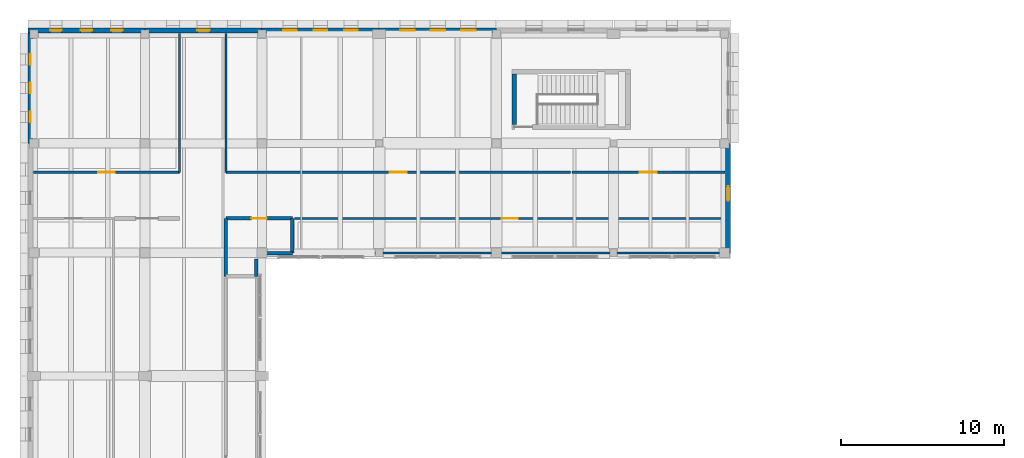
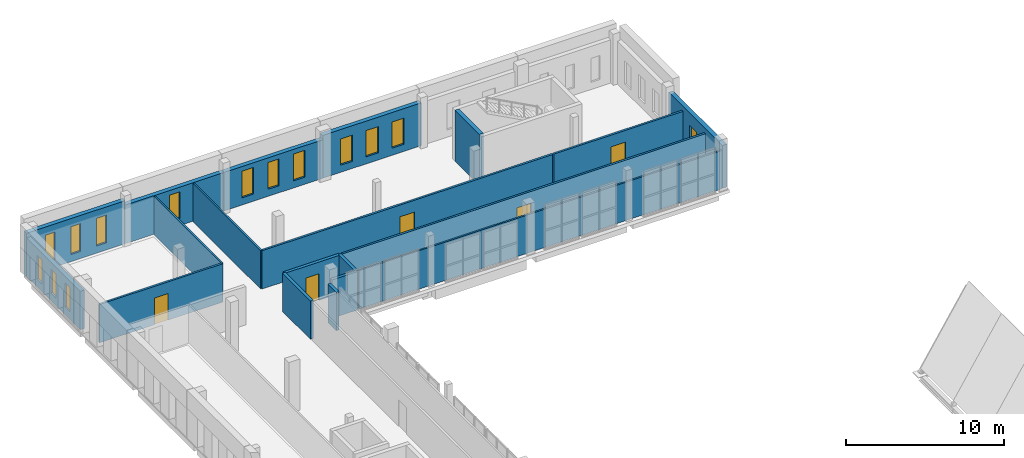
# One storey, part 41 of 56: 19 walls, 14 windows, 5 doors, 19 openings.
"""IFC4 building model written with IfcOpenShell, lengths in metres."""

import ifcopenshell
import ifcopenshell.guid

model = None  # the IFC model being written
_history = None  # IfcOwnerHistory: only IFC2X3 demands one
_inside = {}  # id of a spatial element -> (the spatial element, [elements in it])
_under = {}  # id of a project, library or spatial element -> (it, [spatial elements below it])
_declared = {}  # id of a project -> (the project, [libraries it declares])
_typed = {}  # id of a type object -> (the type object, [elements of that type])
_made_of = {}  # id of a material, layer set ... -> (it, [elements and type objects made of it])


def new_model(schema):
    """Start an empty IFC model of exactly this schema.

    Asked for "IFC4X3", IfcOpenShell would pick the latest addendum, in which some entities
    have other attributes; the version numbers below select the first issue.
    IFC2X3 requires an IfcOwnerHistory on every rooted entity: one is made here for all.
    """
    global model, _history
    if schema == "IFC4X3":
        model = ifcopenshell.file(schema_version=(4, 3, 0, 0))
    else:
        model = ifcopenshell.file(schema=schema)
    _inside.clear()
    _under.clear()
    _declared.clear()
    _typed.clear()
    _made_of.clear()
    _history = None
    if model.schema == "IFC2X3":
        org = make("IfcOrganization", Name="unknown")
        user = make(
            "IfcPersonAndOrganization",
            ThePerson=make("IfcPerson", FamilyName="unknown"),
            TheOrganization=org,
        )
        app = make(
            "IfcApplication",
            ApplicationDeveloper=org,
            Version="unknown",
            ApplicationFullName="unknown",
            ApplicationIdentifier="unknown",
        )
        _history = make(
            "IfcOwnerHistory",
            OwningUser=user,
            OwningApplication=app,
            ChangeAction="ADDED",
            CreationDate=0,
        )
    return model


def make(cls, **values):
    """One entity of the class cls with the attributes given. An attribute that is None is left unset."""
    return model.create_entity(
        cls, **{name: value for name, value in values.items() if value is not None}
    )


def rooted(cls, **values):
    """An entity with a GlobalId (a new one), such as an element, a storey or a relation."""
    return make(cls, GlobalId=ifcopenshell.guid.new(), OwnerHistory=_history, **values)


def si_unit(unit_type, name, prefix=None):
    """IfcSIUnit, for example si_unit("LENGTHUNIT", "METRE", prefix="MILLI")."""
    return make("IfcSIUnit", UnitType=unit_type, Prefix=prefix, Name=name)


def assignment(units):
    """IfcUnitAssignment: the units of a project."""
    return None if units is None else make("IfcUnitAssignment", Units=units)


def point(xyz):
    """IfcCartesianPoint."""
    return None if xyz is None else make("IfcCartesianPoint", Coordinates=xyz)


def direction(xyz):
    """IfcDirection."""
    return None if xyz is None else make("IfcDirection", DirectionRatios=xyz)


def frame(location, z_axis=None, x_axis=None):
    """IfcAxis2Placement3D, a coordinate frame: its origin and axes. An axis left out is left unset."""
    return make(
        "IfcAxis2Placement3D",
        Location=point(location),
        Axis=direction(z_axis),
        RefDirection=direction(x_axis),
    )


def frame_2d(location, x_axis=None):
    """IfcAxis2Placement2D, a coordinate frame in the plane: its origin and x axis."""
    return make(
        "IfcAxis2Placement2D", Location=point(location), RefDirection=direction(x_axis)
    )


def origin():
    """The frame at (0, 0, 0) with its axes left unset."""
    return frame((0.0, 0.0, 0.0))


def place(relative_to, where):
    """IfcLocalPlacement: puts the frame where relative to a parent placement (None: the world)."""
    return make(
        "IfcLocalPlacement", PlacementRelTo=relative_to, RelativePlacement=where
    )


def context(
    kind, dimensions, precision=None, world=None, true_north=None, identifier=None
):
    """IfcGeometricRepresentationContext, for example the 3D "Model" context."""
    return make(
        "IfcGeometricRepresentationContext",
        ContextIdentifier=identifier,
        ContextType=kind,
        CoordinateSpaceDimension=dimensions,
        Precision=precision,
        WorldCoordinateSystem=world,
        TrueNorth=true_north,
    )


def subcontext(parent, identifier, kind, view, scale=None):
    """IfcGeometricRepresentationSubContext, for example "Body" below "Model"."""
    return make(
        "IfcGeometricRepresentationSubContext",
        ContextIdentifier=identifier,
        ContextType=kind,
        ParentContext=parent,
        TargetScale=scale,
        TargetView=view,
    )


def project(units=None, contexts=None):
    """IfcProject with its units and contexts."""
    return rooted(
        "IfcProject",
        Name="project",
        RepresentationContexts=contexts,
        UnitsInContext=assignment(units),
    )


def spatial(cls, under=None, at=None, **own):
    """A site, building, storey or space (cls), placed at a placement, below another one or the project."""
    s = rooted(cls, ObjectPlacement=at, **own)
    if under is not None:
        _under.setdefault(under.id(), (under, []))[1].append(s)
    return s


def profile(cls, at=None, kind="AREA", **sizes):
    """A parametric profile (cls). Its sizes go by their IFC names, for example OverallWidth=200.0."""
    return make(cls, ProfileType=kind, Position=at, **sizes)


def rectangle(**sizes):
    """IfcRectangleProfileDef."""
    return profile("IfcRectangleProfileDef", **sizes)


def extrude(swept, where, along, depth):
    """IfcExtrudedAreaSolid: the profile swept, set in the frame where, extruded along a direction by depth."""
    return make(
        "IfcExtrudedAreaSolid",
        SweptArea=swept,
        Position=where,
        ExtrudedDirection=direction(along),
        Depth=depth,
    )


def shape(context_of_items, identifier, shape_type, items):
    """IfcShapeRepresentation: the items that make up one representation, for example the "Body"."""
    return make(
        "IfcShapeRepresentation",
        ContextOfItems=context_of_items,
        RepresentationIdentifier=identifier,
        RepresentationType=shape_type,
        Items=items,
    )


def material(Name=None, Category=None):
    """IfcMaterial."""
    return make("IfcMaterial", Name=Name, Category=Category)


def layer(
    of_material, thickness, ventilated=None, Name=None, Category=None, Priority=None
):
    """IfcMaterialLayer: one layer of a wall or slab, of a material (None: an air gap)."""
    return make(
        "IfcMaterialLayer",
        Material=of_material,
        LayerThickness=thickness,
        IsVentilated=ventilated,
        Name=Name,
        Category=Category,
        Priority=Priority,
    )


def layer_set(layers, Name=None):
    """IfcMaterialLayerSet."""
    return make("IfcMaterialLayerSet", MaterialLayers=layers, LayerSetName=Name)


def made_of(thing, what):
    """Note that an element or type object is made of a material, layer set ...; save() writes the relation."""
    if what is not None:
        _made_of.setdefault(what.id(), (what, []))[1].append(thing)
    return thing


def type_object(cls, material=None, **own):
    """A type object (cls), such as IfcWallType, which elements share."""
    return made_of(rooted(cls, **own), material)


def element(
    cls,
    number,
    at=None,
    inside=None,
    cuts=None,
    type_object=None,
    material=None,
    context=None,
    identifier="Body",
    shape_type=None,
    held_by="IfcProductDefinitionShape",
    body=None,
    shapes=None,
    **own,
):
    """One element of the class cls, such as IfcWall. Its Tag is "e" and its number.

    at: its placement. inside: the storey or other place that contains it. cuts: it is an
    opening in that element (IfcRelVoidsElement). A single representation is given by context,
    identifier, shape_type and body (its items); several are given by shapes. held_by: the class
    of the entity that holds the representations. save() writes the other relations.
    """
    e = rooted(cls, Tag="e%d" % number, ObjectPlacement=at, **own)
    if body is not None:
        shapes = [shape(context, identifier, shape_type, body)]
    if shapes is not None:
        e.Representation = make(held_by, Representations=shapes)
    if inside is not None:
        _inside.setdefault(inside.id(), (inside, []))[1].append(e)
    if cuts is not None:
        rooted(
            "IfcRelVoidsElement", RelatingBuildingElement=cuts, RelatedOpeningElement=e
        )
    if type_object is not None:
        _typed.setdefault(type_object.id(), (type_object, []))[1].append(e)
    return made_of(e, material)


def fill(opening, filler):
    """IfcRelFillsElement: the door or window that sits in an opening."""
    return rooted(
        "IfcRelFillsElement",
        RelatingOpeningElement=opening,
        RelatedBuildingElement=filler,
    )


def aggregate(whole, parts):
    """IfcRelAggregates: a whole, such as a stair, and the parts it consists of."""
    return rooted("IfcRelAggregates", RelatingObject=whole, RelatedObjects=parts)


def save(model, path):
    """Write the relations noted so far, then the file.

    IfcRelAggregates (storeys below a building ...), IfcRelContainedInSpatialStructure (elements
    in a storey), IfcRelDefinesByType, IfcRelAssociatesMaterial and IfcRelDeclares: one each for
    every whole, place, type object, material and project.
    """
    for whole, parts in _under.values():
        aggregate(whole, parts)
    for where, things in _inside.values():
        rooted(
            "IfcRelContainedInSpatialStructure",
            RelatedElements=things,
            RelatingStructure=where,
        )
    for kind, things in _typed.values():
        rooted("IfcRelDefinesByType", RelatedObjects=things, RelatingType=kind)
    for what, things in _made_of.values():
        rooted("IfcRelAssociatesMaterial", RelatedObjects=things, RelatingMaterial=what)
    for by, libraries in _declared.values():
        rooted("IfcRelDeclares", RelatingContext=by, RelatedDefinitions=libraries)
    model.write(path)


model = new_model("IFC4")

# Units and contexts
model_context = context("Model", 3, precision=1e-05, world=origin(), true_north=direction((0.0, 1.0)))
body_context = subcontext(model_context, "Body", "Model", "MODEL_VIEW")
ifc_project = project(units=[si_unit("LENGTHUNIT", "METRE"), si_unit("AREAUNIT", "SQUARE_METRE"), si_unit("VOLUMEUNIT", "CUBIC_METRE"), si_unit("PLANEANGLEUNIT", "RADIAN"), si_unit("MASSUNIT", "GRAM", prefix="KILO")], contexts=[model_context])

# Site, building, storey
site_placement = place(None, origin())
site = spatial("IfcSite", under=ifc_project, at=site_placement, CompositionType="ELEMENT")
building_placement = place(site_placement, origin())
building = spatial("IfcBuilding", under=site, at=building_placement, Name="Vardoun Plaza Health Centre", CompositionType="ELEMENT")
storey_placement = place(building_placement, frame((0.0, 0.0, 8.699951171875)))
storey = spatial("IfcBuildingStorey", under=building, at=storey_placement, Name="L02", CompositionType="ELEMENT", Elevation=8.699951171875)

# Wall
ifc_material_1 = material(Name="Concrete C40/50", Category="concrete")
ifc_layer_1 = layer(ifc_material_1, 0.300048828125)
ifc_layer_set_1 = layer_set([ifc_layer_1], Name="Concrete C40/50")
wall_type_1 = type_object("IfcWallType", Name="SW-01", PredefinedType="SHEAR", material=ifc_layer_set_1)
wall_1_placement = place(storey_placement, frame((34.39990234375, 109.35009765625, 0.0), z_axis=(0.0, 0.0, 1.0), x_axis=(0.0, 1.0, 0.0)))
element("IfcWall", 1, at=wall_1_placement, inside=storey, type_object=wall_type_1, Name="Core C4 L02 Shear Wall W", PredefinedType="SHEAR", context=body_context, shape_type="SweptSolid", body=[
    extrude(rectangle(XDim=3.099853515625, YDim=0.300048828125, at=frame_2d((1.5498046875, 0.0))), origin(), (0.0, 0.0, 1.0), 3.93505859375),
])

# Wall, openings, windows
ifc_material_2 = material(Name="Pale Limestone Concrete C35/45", Category="masonry")
ifc_layer_2 = layer(ifc_material_2, 0.31494140625)
ifc_layer_set_2 = layer_set([ifc_layer_2], Name="Pale Limestone Concrete C35/45")
wall_type_2 = type_object("IfcWallType", Name="EW-03", PredefinedType="SOLIDWALL", material=ifc_layer_set_2)
wall_2_placement = place(storey_placement, frame((4.5, 115.142578125, 0.0), z_axis=(0.0, 0.0, 1.0), x_axis=(1.0, 0.0, 0.0)))
wall_2 = element("IfcWall", 2, at=wall_2_placement, inside=storey, type_object=wall_type_2, Name="V3 L02 Exterior Wall EW-V3-274", PredefinedType="SOLIDWALL", context=body_context, shape_type="SweptSolid", body=[
    extrude(rectangle(XDim=7.199951171875, YDim=0.31494140625, at=frame_2d((3.60009765625, 0.0))), origin(), (0.0, 0.0, 1.0), 3.320068359375),
])
opening_1_placement = place(wall_2_placement, frame((1.373046875, 0.0, 0.550048828125)))
opening_1 = element("IfcOpeningElement", 3, at=opening_1_placement, cuts=wall_2, Name="Opening W-32-012", PredefinedType="OPENING", context=body_context, shape_type="SweptSolid", body=[
    extrude(rectangle(XDim=0.7099609375, YDim=2.139892578125, at=frame_2d((0.35498046875, 1.06982421875))), frame((0.0, 0.157470703125, 0.0), z_axis=(0.0, -1.0, 0.0), x_axis=(1.0, 0.0, 0.0)), (0.0, 0.0, 1.0), 0.31494140625),
])
opening_2_placement = place(wall_2_placement, frame((3.2451171875, 0.0, 0.550048828125)))
opening_2 = element("IfcOpeningElement", 4, at=opening_2_placement, cuts=wall_2, Name="Opening W-32-013", PredefinedType="OPENING", context=body_context, shape_type="SweptSolid", body=[
    extrude(rectangle(XDim=0.7099609375, YDim=2.139892578125, at=frame_2d((0.35498046875, 1.06982421875))), frame((0.0, 0.157470703125, 0.0), z_axis=(0.0, -1.0, 0.0), x_axis=(1.0, 0.0, 0.0)), (0.0, 0.0, 1.0), 0.31494140625),
])
opening_3_placement = place(wall_2_placement, frame((5.116943359375, 0.0, 0.550048828125)))
opening_3 = element("IfcOpeningElement", 5, at=opening_3_placement, cuts=wall_2, Name="Opening W-32-014", PredefinedType="OPENING", context=body_context, shape_type="SweptSolid", body=[
    extrude(rectangle(XDim=0.7099609375, YDim=2.139892578125, at=frame_2d((0.35498046875, 1.06982421875))), frame((0.0, 0.157470703125, 0.0), z_axis=(0.0, -1.0, 0.0), x_axis=(1.0, 0.0, 0.0)), (0.0, 0.0, 1.0), 0.31494140625),
])
ifc_material_3 = material(Name="Aluminium Alloy EN AW-6063-T6 and Low-E Glass", Category="aluminium")
window_type_1 = type_object("IfcWindowType", Name="W-32", PartitioningType="SINGLE_PANEL", PredefinedType="WINDOW", material=ifc_material_3)
window_1_placement = place(opening_1_placement, origin())
window_1 = element("IfcWindow", 6, at=window_1_placement, inside=storey, type_object=window_type_1, Name="V3 L02 Deep-Punched Slot Window W-32-426", OverallHeight=2.139892578125, OverallWidth=0.7099609375, PartitioningType="SINGLE_PANEL", PredefinedType="WINDOW", context=body_context, shape_type="SweptSolid", body=[
    extrude(rectangle(XDim=0.7099609375, YDim=2.139892578125, at=frame_2d((0.35498046875, 1.06982421875))), frame((0.0, 0.030029296875, 0.0), z_axis=(0.0, -1.0, 0.0), x_axis=(1.0, 0.0, 0.0)), (0.0, 0.0, 1.0), 0.06005859375),
])
fill(opening_1, window_1)
window_2_placement = place(opening_2_placement, origin())
window_2 = element("IfcWindow", 7, at=window_2_placement, inside=storey, type_object=window_type_1, Name="V3 L02 Deep-Punched Slot Window W-32-427", OverallHeight=2.139892578125, OverallWidth=0.7099609375, PartitioningType="SINGLE_PANEL", PredefinedType="WINDOW", context=body_context, shape_type="SweptSolid", body=[
    extrude(rectangle(XDim=0.7099609375, YDim=2.139892578125, at=frame_2d((0.35498046875, 1.06982421875))), frame((0.0, 0.030029296875, 0.0), z_axis=(0.0, -1.0, 0.0), x_axis=(1.0, 0.0, 0.0)), (0.0, 0.0, 1.0), 0.06005859375),
])
fill(opening_2, window_2)
window_3_placement = place(opening_3_placement, origin())
window_3 = element("IfcWindow", 8, at=window_3_placement, inside=storey, type_object=window_type_1, Name="V3 L02 Deep-Punched Slot Window W-32-428", OverallHeight=2.139892578125, OverallWidth=0.7099609375, PartitioningType="SINGLE_PANEL", PredefinedType="WINDOW", context=body_context, shape_type="SweptSolid", body=[
    extrude(rectangle(XDim=0.7099609375, YDim=2.139892578125, at=frame_2d((0.35498046875, 1.06982421875))), frame((0.0, 0.030029296875, 0.0), z_axis=(0.0, -1.0, 0.0), x_axis=(1.0, 0.0, 0.0)), (0.0, 0.0, 1.0), 0.06005859375),
])
fill(opening_3, window_3)

# Wall, opening, window
wall_3_placement = place(storey_placement, frame((11.699951171875, 115.142578125, 0.0), z_axis=(0.0, 0.0, 1.0), x_axis=(1.0, 0.0, 0.0)))
wall_3 = element("IfcWall", 9, at=wall_3_placement, inside=storey, type_object=wall_type_2, Name="V3 L02 Exterior Wall EW-V3-275", PredefinedType="SOLIDWALL", context=body_context, shape_type="SweptSolid", body=[
    extrude(rectangle(XDim=7.199951171875, YDim=0.31494140625, at=frame_2d((3.60009765625, 0.0))), origin(), (0.0, 0.0, 1.0), 2.969970703125),
])
opening_4_placement = place(wall_3_placement, frame((3.215087890625, 0.0, 0.550048828125)))
opening_4 = element("IfcOpeningElement", 10, at=opening_4_placement, cuts=wall_3, Name="Opening W-33-007", PredefinedType="OPENING", context=body_context, shape_type="SweptSolid", body=[
    extrude(rectangle(XDim=0.77001953125, YDim=2.06005859375, at=frame_2d((0.385009765625, 1.030029296875))), frame((0.0, 0.157470703125, 0.0), z_axis=(0.0, -1.0, 0.0), x_axis=(1.0, 0.0, 0.0)), (0.0, 0.0, 1.0), 0.31494140625),
])
ifc_material_4 = material(Name="Aluminium Alloy EN AW-6063-T6 and Low-E Glass", Category="aluminium")
window_type_2 = type_object("IfcWindowType", Name="W-33", PartitioningType="SINGLE_PANEL", PredefinedType="WINDOW", material=ifc_material_4)
window_4_placement = place(opening_4_placement, origin())
window_4 = element("IfcWindow", 11, at=window_4_placement, inside=storey, type_object=window_type_2, Name="V3 L02 Deep-Punched Slot Window W-33-430", OverallHeight=2.06005859375, OverallWidth=0.77001953125, PartitioningType="SINGLE_PANEL", PredefinedType="WINDOW", context=body_context, shape_type="SweptSolid", body=[
    extrude(rectangle(XDim=0.77001953125, YDim=2.06005859375, at=frame_2d((0.385009765625, 1.030029296875))), frame((0.0, 0.030029296875, 0.0), z_axis=(0.0, -1.0, 0.0), x_axis=(1.0, 0.0, 0.0)), (0.0, 0.0, 1.0), 0.06005859375),
])
fill(opening_4, window_4)

# Wall, openings, windows
wall_4_placement = place(storey_placement, frame((18.89990234375, 115.142578125, 0.0), z_axis=(0.0, 0.0, 1.0), x_axis=(1.0, 0.0, 0.0)))
wall_4 = element("IfcWall", 12, at=wall_4_placement, inside=storey, type_object=wall_type_2, Name="V3 L02 Exterior Wall EW-V3-276", PredefinedType="SOLIDWALL", context=body_context, shape_type="SweptSolid", body=[
    extrude(rectangle(XDim=7.2001953125, YDim=0.31494140625, at=frame_2d((3.60009765625, 0.0))), origin(), (0.0, 0.0, 1.0), 2.969970703125),
])
opening_5_placement = place(wall_4_placement, frame((1.31298828125, 0.0, 0.550048828125)))
opening_5 = element("IfcOpeningElement", 13, at=opening_5_placement, cuts=wall_4, Name="Opening W-34-005", PredefinedType="OPENING", context=body_context, shape_type="SweptSolid", body=[
    extrude(rectangle(XDim=0.830078125, YDim=2.06005859375, at=frame_2d((0.4150390625, 1.030029296875))), frame((0.0, 0.157470703125, 0.0), z_axis=(0.0, -1.0, 0.0), x_axis=(1.0, 0.0, 0.0)), (0.0, 0.0, 1.0), 0.31494140625),
])
opening_6_placement = place(wall_4_placement, frame((3.18505859375, 0.0, 0.550048828125)))
opening_6 = element("IfcOpeningElement", 14, at=opening_6_placement, cuts=wall_4, Name="Opening W-34-006", PredefinedType="OPENING", context=body_context, shape_type="SweptSolid", body=[
    extrude(rectangle(XDim=0.830078125, YDim=2.06005859375, at=frame_2d((0.4150390625, 1.030029296875))), frame((0.0, 0.157470703125, 0.0), z_axis=(0.0, -1.0, 0.0), x_axis=(1.0, 0.0, 0.0)), (0.0, 0.0, 1.0), 0.31494140625),
])
opening_7_placement = place(wall_4_placement, frame((5.056884765625, 0.0, 0.550048828125)))
opening_7 = element("IfcOpeningElement", 15, at=opening_7_placement, cuts=wall_4, Name="Opening W-34-007", PredefinedType="OPENING", context=body_context, shape_type="SweptSolid", body=[
    extrude(rectangle(XDim=0.830078125, YDim=2.06005859375, at=frame_2d((0.4150390625, 1.030029296875))), frame((0.0, 0.157470703125, 0.0), z_axis=(0.0, -1.0, 0.0), x_axis=(1.0, 0.0, 0.0)), (0.0, 0.0, 1.0), 0.31494140625),
])
ifc_material_5 = material(Name="Aluminium Alloy EN AW-6063-T6 and Low-E Glass", Category="aluminium")
window_type_3 = type_object("IfcWindowType", Name="W-34", PartitioningType="SINGLE_PANEL", PredefinedType="WINDOW", material=ifc_material_5)
window_5_placement = place(opening_5_placement, origin())
window_5 = element("IfcWindow", 16, at=window_5_placement, inside=storey, type_object=window_type_3, Name="V3 L02 Deep-Punched Slot Window W-34-432", OverallHeight=2.06005859375, OverallWidth=0.830078125, PartitioningType="SINGLE_PANEL", PredefinedType="WINDOW", context=body_context, shape_type="SweptSolid", body=[
    extrude(rectangle(XDim=0.830078125, YDim=2.06005859375, at=frame_2d((0.4150390625, 1.030029296875))), frame((0.0, 0.030029296875, 0.0), z_axis=(0.0, -1.0, 0.0), x_axis=(1.0, 0.0, 0.0)), (0.0, 0.0, 1.0), 0.06005859375),
])
fill(opening_5, window_5)
window_6_placement = place(opening_6_placement, origin())
window_6 = element("IfcWindow", 17, at=window_6_placement, inside=storey, type_object=window_type_3, Name="V3 L02 Deep-Punched Slot Window W-34-433", OverallHeight=2.06005859375, OverallWidth=0.830078125, PartitioningType="SINGLE_PANEL", PredefinedType="WINDOW", context=body_context, shape_type="SweptSolid", body=[
    extrude(rectangle(XDim=0.830078125, YDim=2.06005859375, at=frame_2d((0.4150390625, 1.030029296875))), frame((0.0, 0.030029296875, 0.0), z_axis=(0.0, -1.0, 0.0), x_axis=(1.0, 0.0, 0.0)), (0.0, 0.0, 1.0), 0.06005859375),
])
fill(opening_6, window_6)
window_7_placement = place(opening_7_placement, origin())
window_7 = element("IfcWindow", 18, at=window_7_placement, inside=storey, type_object=window_type_3, Name="V3 L02 Deep-Punched Slot Window W-34-434", OverallHeight=2.06005859375, OverallWidth=0.830078125, PartitioningType="SINGLE_PANEL", PredefinedType="WINDOW", context=body_context, shape_type="SweptSolid", body=[
    extrude(rectangle(XDim=0.830078125, YDim=2.06005859375, at=frame_2d((0.4150390625, 1.030029296875))), frame((0.0, 0.030029296875, 0.0), z_axis=(0.0, -1.0, 0.0), x_axis=(1.0, 0.0, 0.0)), (0.0, 0.0, 1.0), 0.06005859375),
])
fill(opening_7, window_7)

wall_5_placement = place(storey_placement, frame((26.10009765625, 115.142578125, 0.0), z_axis=(0.0, 0.0, 1.0), x_axis=(1.0, 0.0, 0.0)))
wall_5 = element("IfcWall", 19, at=wall_5_placement, inside=storey, type_object=wall_type_2, Name="V3 L02 Exterior Wall EW-V3-277", PredefinedType="SOLIDWALL", context=body_context, shape_type="SweptSolid", body=[
    extrude(rectangle(XDim=7.199951171875, YDim=0.31494140625, at=frame_2d((3.60009765625, 0.0))), origin(), (0.0, 0.0, 1.0), 3.300048828125),
])
opening_8_placement = place(wall_5_placement, frame((1.282958984375, 0.0, 0.550048828125)))
opening_8 = element("IfcOpeningElement", 20, at=opening_8_placement, cuts=wall_5, Name="Opening W-35-012", PredefinedType="OPENING", context=body_context, shape_type="SweptSolid", body=[
    extrude(rectangle(XDim=0.889892578125, YDim=2.02001953125, at=frame_2d((0.44482421875, 1.010009765625))), frame((0.0, 0.157470703125, 0.0), z_axis=(0.0, -1.0, 0.0), x_axis=(1.0, 0.0, 0.0)), (0.0, 0.0, 1.0), 0.31494140625),
])
opening_9_placement = place(wall_5_placement, frame((3.155029296875, 0.0, 0.550048828125)))
opening_9 = element("IfcOpeningElement", 21, at=opening_9_placement, cuts=wall_5, Name="Opening W-35-013", PredefinedType="OPENING", context=body_context, shape_type="SweptSolid", body=[
    extrude(rectangle(XDim=0.889892578125, YDim=2.02001953125, at=frame_2d((0.44482421875, 1.010009765625))), frame((0.0, 0.157470703125, 0.0), z_axis=(0.0, -1.0, 0.0), x_axis=(1.0, 0.0, 0.0)), (0.0, 0.0, 1.0), 0.31494140625),
])
opening_10_placement = place(wall_5_placement, frame((5.027099609375, 0.0, 0.550048828125)))
opening_10 = element("IfcOpeningElement", 22, at=opening_10_placement, cuts=wall_5, Name="Opening W-35-014", PredefinedType="OPENING", context=body_context, shape_type="SweptSolid", body=[
    extrude(rectangle(XDim=0.889892578125, YDim=2.02001953125, at=frame_2d((0.44482421875, 1.010009765625))), frame((0.0, 0.157470703125, 0.0), z_axis=(0.0, -1.0, 0.0), x_axis=(1.0, 0.0, 0.0)), (0.0, 0.0, 1.0), 0.31494140625),
])
ifc_material_6 = material(Name="Aluminium Alloy EN AW-6063-T6 and Low-E Glass", Category="aluminium")
window_type_4 = type_object("IfcWindowType", Name="W-35", PartitioningType="DOUBLE_PANEL_VERTICAL", PredefinedType="WINDOW", material=ifc_material_6)
window_8_placement = place(opening_8_placement, origin())
window_8 = element("IfcWindow", 23, at=window_8_placement, inside=storey, type_object=window_type_4, Name="V3 L02 Deep-Punched Slot Window W-35-435", OverallHeight=2.02001953125, OverallWidth=0.889892578125, PartitioningType="DOUBLE_PANEL_VERTICAL", PredefinedType="WINDOW", context=body_context, shape_type="SweptSolid", body=[
    extrude(rectangle(XDim=0.889892578125, YDim=2.02001953125, at=frame_2d((0.44482421875, 1.010009765625))), frame((0.0, 0.030029296875, 0.0), z_axis=(0.0, -1.0, 0.0), x_axis=(1.0, 0.0, 0.0)), (0.0, 0.0, 1.0), 0.06005859375),
])
fill(opening_8, window_8)
window_9_placement = place(opening_9_placement, origin())
window_9 = element("IfcWindow", 24, at=window_9_placement, inside=storey, type_object=window_type_4, Name="V3 L02 Deep-Punched Slot Window W-35-436", OverallHeight=2.02001953125, OverallWidth=0.889892578125, PartitioningType="DOUBLE_PANEL_VERTICAL", PredefinedType="WINDOW", context=body_context, shape_type="SweptSolid", body=[
    extrude(rectangle(XDim=0.889892578125, YDim=2.02001953125, at=frame_2d((0.44482421875, 1.010009765625))), frame((0.0, 0.030029296875, 0.0), z_axis=(0.0, -1.0, 0.0), x_axis=(1.0, 0.0, 0.0)), (0.0, 0.0, 1.0), 0.06005859375),
])
fill(opening_9, window_9)
window_10_placement = place(opening_10_placement, origin())
window_10 = element("IfcWindow", 25, at=window_10_placement, inside=storey, type_object=window_type_4, Name="V3 L02 Deep-Punched Slot Window W-35-437", OverallHeight=2.02001953125, OverallWidth=0.889892578125, PartitioningType="DOUBLE_PANEL_VERTICAL", PredefinedType="WINDOW", context=body_context, shape_type="SweptSolid", body=[
    extrude(rectangle(XDim=0.889892578125, YDim=2.02001953125, at=frame_2d((0.44482421875, 1.010009765625))), frame((0.0, 0.030029296875, 0.0), z_axis=(0.0, -1.0, 0.0), x_axis=(1.0, 0.0, 0.0)), (0.0, 0.0, 1.0), 0.06005859375),
])
fill(opening_10, window_10)

# Wall, opening, window
wall_6_placement = place(storey_placement, frame((47.54248046875, 108.199951171875, 0.0), z_axis=(0.0, 0.0, 1.0), x_axis=(0.0, -1.0, 0.0)))
wall_6 = element("IfcWall", 26, at=wall_6_placement, inside=storey, type_object=wall_type_2, Name="V3 L02 Exterior Wall EW-V3-281", PredefinedType="SOLIDWALL", context=body_context, shape_type="SweptSolid", body=[
    extrude(rectangle(XDim=6.784912109375, YDim=0.31494140625, at=frame_2d((3.392578125, 0.0))), origin(), (0.0, 0.0, 1.0), 3.300048828125),
])
opening_11_placement = place(wall_6_placement, frame((2.652587890625, 0.0, 0.550048828125)))
opening_11 = element("IfcOpeningElement", 27, at=opening_11_placement, cuts=wall_6, Name="Opening W-28-016", PredefinedType="OPENING", context=body_context, shape_type="SweptSolid", body=[
    extrude(rectangle(XDim=0.8798828125, YDim=1.800048828125, at=frame_2d((0.43994140625, 0.89990234375))), frame((0.0, 0.157470703125, 0.0), z_axis=(0.0, -1.0, 0.0), x_axis=(1.0, 0.0, 0.0)), (0.0, 0.0, 1.0), 0.31494140625),
])
ifc_material_7 = material(Name="Aluminium Alloy EN AW-6063-T6 and Low-E Glass", Category="aluminium")
window_type_5 = type_object("IfcWindowType", Name="W-28", PartitioningType="SINGLE_PANEL", PredefinedType="WINDOW", material=ifc_material_7)
window_11_placement = place(opening_11_placement, origin())
window_11 = element("IfcWindow", 28, at=window_11_placement, inside=storey, type_object=window_type_5, Name="V3 L02 Deep-Punched Slot Window W-28-447", OverallHeight=1.800048828125, OverallWidth=0.8798828125, PartitioningType="SINGLE_PANEL", PredefinedType="WINDOW", context=body_context, shape_type="SweptSolid", body=[
    extrude(rectangle(XDim=0.8798828125, YDim=1.800048828125, at=frame_2d((0.43994140625, 0.89990234375))), frame((0.0, 0.030029296875, 0.0), z_axis=(0.0, -1.0, 0.0), x_axis=(1.0, 0.0, 0.0)), (0.0, 0.0, 1.0), 0.06005859375),
])
fill(opening_11, window_11)

# Wall, openings, windows
wall_7_placement = place(storey_placement, frame((4.657470703125, 108.199951171875, 0.0), z_axis=(0.0, 0.0, 1.0), x_axis=(0.0, 1.0, 0.0)))
wall_7 = element("IfcWall", 29, at=wall_7_placement, inside=storey, type_object=wall_type_2, Name="V3 L02 Exterior Wall EW-V3-288", PredefinedType="SOLIDWALL", context=body_context, shape_type="SweptSolid", body=[
    extrude(rectangle(XDim=6.78515625, YDim=0.31494140625, at=frame_2d((3.392578125, 0.0))), origin(), (0.0, 0.0, 1.0), 2.969970703125),
])
opening_12_placement = place(wall_7_placement, frame((1.308349609375, 0.0, 0.60009765625)))
opening_12 = element("IfcOpeningElement", 30, at=opening_12_placement, cuts=wall_7, Name="Opening W-25-019", PredefinedType="OPENING", context=body_context, shape_type="SweptSolid", body=[
    extrude(rectangle(XDim=0.639892578125, YDim=1.85009765625, at=frame_2d((0.31982421875, 0.925048828125))), frame((0.0, 0.157470703125, 0.0), z_axis=(0.0, -1.0, 0.0), x_axis=(1.0, 0.0, 0.0)), (0.0, 0.0, 1.0), 0.31494140625),
])
opening_13_placement = place(wall_7_placement, frame((3.072509765625, 0.0, 0.60009765625)))
opening_13 = element("IfcOpeningElement", 31, at=opening_13_placement, cuts=wall_7, Name="Opening W-25-020", PredefinedType="OPENING", context=body_context, shape_type="SweptSolid", body=[
    extrude(rectangle(XDim=0.639892578125, YDim=1.85009765625, at=frame_2d((0.31982421875, 0.925048828125))), frame((0.0, 0.157470703125, 0.0), z_axis=(0.0, -1.0, 0.0), x_axis=(1.0, 0.0, 0.0)), (0.0, 0.0, 1.0), 0.31494140625),
])
opening_14_placement = place(wall_7_placement, frame((4.836669921875, 0.0, 0.60009765625)))
opening_14 = element("IfcOpeningElement", 32, at=opening_14_placement, cuts=wall_7, Name="Opening W-25-021", PredefinedType="OPENING", context=body_context, shape_type="SweptSolid", body=[
    extrude(rectangle(XDim=0.639892578125, YDim=1.85009765625, at=frame_2d((0.31982421875, 0.925048828125))), frame((0.0, 0.157470703125, 0.0), z_axis=(0.0, -1.0, 0.0), x_axis=(1.0, 0.0, 0.0)), (0.0, 0.0, 1.0), 0.31494140625),
])
ifc_material_8 = material(Name="Aluminium Alloy EN AW-6063-T6 and Low-E Glass", Category="aluminium")
window_type_6 = type_object("IfcWindowType", Name="W-25", PartitioningType="SINGLE_PANEL", PredefinedType="WINDOW", material=ifc_material_8)
window_12_placement = place(opening_12_placement, origin())
window_12 = element("IfcWindow", 33, at=window_12_placement, inside=storey, type_object=window_type_6, Name="V3 L02 Deep-Punched Slot Window W-25-461", OverallHeight=1.85009765625, OverallWidth=0.639892578125, PartitioningType="SINGLE_PANEL", PredefinedType="WINDOW", context=body_context, shape_type="SweptSolid", body=[
    extrude(rectangle(XDim=0.639892578125, YDim=1.85009765625, at=frame_2d((0.31982421875, 0.925048828125))), frame((0.0, 0.030029296875, 0.0), z_axis=(0.0, -1.0, 0.0), x_axis=(1.0, 0.0, 0.0)), (0.0, 0.0, 1.0), 0.06005859375),
])
fill(opening_12, window_12)
window_13_placement = place(opening_13_placement, origin())
window_13 = element("IfcWindow", 34, at=window_13_placement, inside=storey, type_object=window_type_6, Name="V3 L02 Deep-Punched Slot Window W-25-462", OverallHeight=1.85009765625, OverallWidth=0.639892578125, PartitioningType="SINGLE_PANEL", PredefinedType="WINDOW", context=body_context, shape_type="SweptSolid", body=[
    extrude(rectangle(XDim=0.639892578125, YDim=1.85009765625, at=frame_2d((0.31982421875, 0.925048828125))), frame((0.0, 0.030029296875, 0.0), z_axis=(0.0, -1.0, 0.0), x_axis=(1.0, 0.0, 0.0)), (0.0, 0.0, 1.0), 0.06005859375),
])
fill(opening_13, window_13)
window_14_placement = place(opening_14_placement, origin())
window_14 = element("IfcWindow", 35, at=window_14_placement, inside=storey, type_object=window_type_6, Name="V3 L02 Deep-Punched Slot Window W-25-463", OverallHeight=1.85009765625, OverallWidth=0.639892578125, PartitioningType="SINGLE_PANEL", PredefinedType="WINDOW", context=body_context, shape_type="SweptSolid", body=[
    extrude(rectangle(XDim=0.639892578125, YDim=1.85009765625, at=frame_2d((0.31982421875, 0.925048828125))), frame((0.0, 0.030029296875, 0.0), z_axis=(0.0, -1.0, 0.0), x_axis=(1.0, 0.0, 0.0)), (0.0, 0.0, 1.0), 0.06005859375),
])
fill(opening_14, window_14)

# Wall, opening, door
ifc_material_9 = material(Name="Acoustic Gypsum Twin-Stud", Category="steel")
ifc_layer_3 = layer(ifc_material_9, 0.14990234375)
ifc_layer_set_3 = layer_set([ifc_layer_3], Name="Acoustic Gypsum Twin-Stud")
wall_type_3 = type_object("IfcWallType", Name="IW-04", PredefinedType="PARTITIONING", material=ifc_layer_set_3)
wall_8_placement = place(storey_placement, frame((37.860107421875, 106.419921875, 0.0), z_axis=(0.0, 0.0, 1.0), x_axis=(-1.0, 0.0, 0.0)))
wall_8 = element("IfcWall", 36, at=wall_8_placement, inside=storey, type_object=wall_type_3, Name="Women Health Consulting Room 21 Partition Wall", PredefinedType="PARTITIONING", context=body_context, shape_type="SweptSolid", body=[
    extrude(rectangle(XDim=21.190185546875, YDim=0.14990234375, at=frame_2d((10.59521484375, 0.0))), origin(), (0.0, 0.0, 1.0), 2.955078125),
])
opening_15_placement = place(wall_8_placement, frame((10.074951171875, 0.0, 0.0)))
opening_15 = element("IfcOpeningElement", 37, at=opening_15_placement, cuts=wall_8, Name="Opening D-L02-097", PredefinedType="OPENING", context=body_context, shape_type="SweptSolid", body=[
    extrude(rectangle(XDim=1.0400390625, YDim=2.050048828125, at=frame_2d((0.52001953125, 1.02490234375))), frame((0.0, 0.074951171875, 0.0), z_axis=(0.0, -1.0, 0.0), x_axis=(1.0, 0.0, 0.0)), (0.0, 0.0, 1.0), 0.14990234375),
])
ifc_material_10 = material(Name="Antimicrobial Acoustic Timber and Steel S275JR", Category="steel")
door_type_1 = type_object("IfcDoorType", Name="CD-04", OperationType="NOTDEFINED", PredefinedType="DOOR", material=ifc_material_10)
door_1_placement = place(opening_15_placement, origin())
door_1 = element("IfcDoor", 38, at=door_1_placement, inside=storey, type_object=door_type_1, Name="Women Health Consulting Room 21 Door D-L02-097", OperationType="SINGLE_SWING_LEFT", OverallHeight=2.050048828125, OverallWidth=1.0400390625, PredefinedType="DOOR", context=body_context, shape_type="SweptSolid", body=[
    extrude(rectangle(XDim=1.0400390625, YDim=2.050048828125, at=frame_2d((0.52001953125, 1.02490234375))), frame((0.0, 0.02490234375, 0.0), z_axis=(0.0, -1.0, 0.0), x_axis=(1.0, 0.0, 0.0)), (0.0, 0.0, 1.0), 0.050048828125),
])
fill(opening_15, door_1)

wall_9_placement = place(storey_placement, frame((13.830078125, 106.419921875, 0.0), z_axis=(0.0, 0.0, 1.0), x_axis=(-1.0, 0.0, 0.0)))
wall_9 = element("IfcWall", 39, at=wall_9_placement, inside=storey, type_object=wall_type_3, Name="Midwifery Counselling Suite Partition Wall", PredefinedType="PARTITIONING", context=body_context, shape_type="SweptSolid", body=[
    extrude(rectangle(XDim=8.97998046875, YDim=0.14990234375, at=frame_2d((4.489990234375, 0.0))), origin(), (0.0, 0.0, 1.0), 2.955078125),
])
opening_16_placement = place(wall_9_placement, frame((3.989990234375, 0.0, 0.0)))
opening_16 = element("IfcOpeningElement", 40, at=opening_16_placement, cuts=wall_9, Name="Opening D-L02-100", PredefinedType="OPENING", context=body_context, shape_type="SweptSolid", body=[
    extrude(rectangle(XDim=1.0, YDim=2.050048828125, at=frame_2d((0.5, 1.02490234375))), frame((0.0, 0.074951171875, 0.0), z_axis=(0.0, -1.0, 0.0), x_axis=(1.0, 0.0, 0.0)), (0.0, 0.0, 1.0), 0.14990234375),
])
ifc_material_11 = material(Name="Antimicrobial Acoustic Timber and Steel S275JR", Category="steel")
door_type_2 = type_object("IfcDoorType", Name="CD-03", OperationType="NOTDEFINED", PredefinedType="DOOR", material=ifc_material_11)
door_2_placement = place(opening_16_placement, origin())
door_2 = element("IfcDoor", 41, at=door_2_placement, inside=storey, type_object=door_type_2, Name="Midwifery Counselling Suite Door D-L02-100", OperationType="SINGLE_SWING_RIGHT", OverallHeight=2.050048828125, OverallWidth=1.0, PredefinedType="DOOR", context=body_context, shape_type="SweptSolid", body=[
    extrude(rectangle(XDim=1.0, YDim=2.050048828125, at=frame_2d((0.5, 1.02490234375))), frame((0.0, 0.02490234375, 0.0), z_axis=(0.0, -1.0, 0.0), x_axis=(1.0, 0.0, 0.0)), (0.0, 0.0, 1.0), 0.050048828125),
])
fill(opening_16, door_2)

wall_10_placement = place(storey_placement, frame((47.35009765625, 106.419921875, 0.0), z_axis=(0.0, 0.0, 1.0), x_axis=(-1.0, 0.0, 0.0)))
wall_10 = element("IfcWall", 42, at=wall_10_placement, inside=storey, type_object=wall_type_3, Name="Courtyard Waiting Lounge L02 Partition Wall", PredefinedType="PARTITIONING", context=body_context, shape_type="SweptSolid", body=[
    extrude(rectangle(XDim=9.41015625, YDim=0.14990234375, at=frame_2d((4.705078125, 0.0))), origin(), (0.0, 0.0, 1.0), 2.955078125),
])
opening_17_placement = place(wall_10_placement, frame((4.18505859375, 0.0, 0.0)))
opening_17 = element("IfcOpeningElement", 43, at=opening_17_placement, cuts=wall_10, Name="Opening D-L02-101", PredefinedType="OPENING", context=body_context, shape_type="SweptSolid", body=[
    extrude(rectangle(XDim=1.0400390625, YDim=2.050048828125, at=frame_2d((0.52001953125, 1.02490234375))), frame((0.0, 0.074951171875, 0.0), z_axis=(0.0, -1.0, 0.0), x_axis=(1.0, 0.0, 0.0)), (0.0, 0.0, 1.0), 0.14990234375),
])
door_3_placement = place(opening_17_placement, origin())
door_3 = element("IfcDoor", 44, at=door_3_placement, inside=storey, type_object=door_type_1, Name="Courtyard Waiting Lounge L02 Door D-L02-101", OperationType="SINGLE_SWING_LEFT", OverallHeight=2.050048828125, OverallWidth=1.0400390625, PredefinedType="DOOR", context=body_context, shape_type="SweptSolid", body=[
    extrude(rectangle(XDim=1.0400390625, YDim=2.050048828125, at=frame_2d((0.52001953125, 1.02490234375))), frame((0.0, 0.02490234375, 0.0), z_axis=(0.0, -1.0, 0.0), x_axis=(1.0, 0.0, 0.0)), (0.0, 0.0, 1.0), 0.050048828125),
])
fill(opening_17, door_3)

wall_11_placement = place(storey_placement, frame((20.8935546875, 103.580078125, 0.0), z_axis=(0.0, 0.0, 1.0), x_axis=(1.0, 0.0, 0.0)))
wall_11 = element("IfcWall", 45, at=wall_11_placement, inside=storey, type_object=wall_type_3, Name="Women Health Consulting Room 21 A Partition Wall", PredefinedType="PARTITIONING", context=body_context, shape_type="SweptSolid", body=[
    extrude(rectangle(XDim=26.45654296875, YDim=0.14990234375, at=frame_2d((13.228271484375, 0.0))), origin(), (0.0, 0.0, 1.0), 2.955078125),
])
opening_18_placement = place(wall_11_placement, frame((12.728271484375, 0.0, 0.0)))
opening_18 = element("IfcOpeningElement", 46, at=opening_18_placement, cuts=wall_11, Name="Opening D-L02-102", PredefinedType="OPENING", context=body_context, shape_type="SweptSolid", body=[
    extrude(rectangle(XDim=1.0, YDim=2.050048828125, at=frame_2d((0.5, 1.02490234375))), frame((0.0, 0.074951171875, 0.0), z_axis=(0.0, -1.0, 0.0), x_axis=(1.0, 0.0, 0.0)), (0.0, 0.0, 1.0), 0.14990234375),
])
door_4_placement = place(opening_18_placement, origin())
door_4 = element("IfcDoor", 47, at=door_4_placement, inside=storey, type_object=door_type_2, Name="Women Health Consulting Room 21 A Door D-L02-102", OperationType="SINGLE_SWING_RIGHT", OverallHeight=2.050048828125, OverallWidth=1.0, PredefinedType="DOOR", context=body_context, shape_type="SweptSolid", body=[
    extrude(rectangle(XDim=1.0, YDim=2.050048828125, at=frame_2d((0.5, 1.02490234375))), frame((0.0, 0.02490234375, 0.0), z_axis=(0.0, -1.0, 0.0), x_axis=(1.0, 0.0, 0.0)), (0.0, 0.0, 1.0), 0.050048828125),
])
fill(opening_18, door_4)

# Walls
ifc_material_12 = material(Name="Standard Clinical Sub-Partition", Category="steel")
ifc_layer_4 = layer(ifc_material_12, 0.125)
ifc_layer_set_4 = layer_set([ifc_layer_4], Name="Standard Clinical Sub-Partition")
wall_type_4 = type_object("IfcWallType", Name="IW-11", PredefinedType="PARTITIONING", material=ifc_layer_set_4)
for number, where, z_axis, x_axis, name in (
    (48, (16.669921875, 106.419921875, 0.0), (0.0, 0.0, 1.0), (0.0, 1.0, 0.0), "Women Health Consulting Room 21 Enclosure Partition"),
    (49, (13.830078125, 114.949951171875, 0.0), (0.0, 0.0, 1.0), (0.0, -1.0, 0.0), "Midwifery Counselling Suite Enclosure Partition"),
):
    element("IfcWall", number, at=place(storey_placement, frame(where, z_axis=z_axis, x_axis=x_axis)), inside=storey, type_object=wall_type_4, Name=name, PredefinedType="PARTITIONING", context=body_context, shape_type="SweptSolid", body=[
        extrude(rectangle(XDim=8.530029296875, YDim=0.125, at=frame_2d((4.26513671875, 0.0))), origin(), (0.0, 0.0, 1.0), 2.955078125),
    ])
wall_12_placement = place(storey_placement, frame((47.35009765625, 101.449951171875, 0.0), z_axis=(0.0, 0.0, 1.0), x_axis=(-1.0, 0.0, 0.0)))
element("IfcWall", 50, at=wall_12_placement, inside=storey, type_object=wall_type_4, Name="Women Health Consulting Room 21 A Enclosure Partition", PredefinedType="PARTITIONING", context=body_context, shape_type="SweptSolid", body=[
    extrude(rectangle(XDim=26.45654296875, YDim=0.125, at=frame_2d((13.228271484375, 0.0))), origin(), (0.0, 0.0, 1.0), 2.955078125),
])

# Wall, opening, door
ifc_material_13 = material(Name="Moisture-Resistant Plumbing Chase", Category="steel")
ifc_layer_5 = layer(ifc_material_13, 0.215087890625)
ifc_layer_set_5 = layer_set([ifc_layer_5], Name="Moisture-Resistant Plumbing Chase")
wall_type_5 = type_object("IfcWallType", Name="IW-06", PredefinedType="PLUMBINGWALL", material=ifc_layer_set_5)
wall_13_placement = place(storey_placement, frame((16.669921875, 103.580078125, 0.0), z_axis=(0.0, 0.0, 1.0), x_axis=(1.0, 0.0, 0.0)))
wall_13 = element("IfcWall", 51, at=wall_13_placement, inside=storey, type_object=wall_type_5, Name="Accessible WC L02-V3 Partition Wall", PredefinedType="PLUMBINGWALL", context=body_context, shape_type="SweptSolid", body=[
    extrude(rectangle(XDim=4.08349609375, YDim=0.215087890625, at=frame_2d((2.041748046875, 0.0))), origin(), (0.0, 0.0, 1.0), 2.955078125),
])
opening_19_placement = place(wall_13_placement, frame((1.566650390625, 0.0, 0.0)))
opening_19 = element("IfcOpeningElement", 52, at=opening_19_placement, cuts=wall_13, Name="Opening D-L02-096", PredefinedType="OPENING", context=body_context, shape_type="SweptSolid", body=[
    extrude(rectangle(XDim=0.949951171875, YDim=2.050048828125, at=frame_2d((0.47509765625, 1.02490234375))), frame((0.0, 0.107421875, 0.0), z_axis=(0.0, -1.0, 0.0), x_axis=(1.0, 0.0, 0.0)), (0.0, 0.0, 1.0), 0.215087890625),
])
ifc_material_14 = material(Name="Antimicrobial Acoustic Timber and Steel S275JR", Category="steel")
door_type_3 = type_object("IfcDoorType", Name="CD-07", OperationType="NOTDEFINED", PredefinedType="DOOR", material=ifc_material_14)
door_5_placement = place(opening_19_placement, origin())
door_5 = element("IfcDoor", 53, at=door_5_placement, inside=storey, type_object=door_type_3, Name="Accessible WC L02-V3 Door D-L02-096", OperationType="SINGLE_SWING_RIGHT", OverallHeight=2.050048828125, OverallWidth=0.949951171875, PredefinedType="DOOR", context=body_context, shape_type="SweptSolid", body=[
    extrude(rectangle(XDim=0.949951171875, YDim=2.050048828125, at=frame_2d((0.47509765625, 1.02490234375))), frame((0.0, 0.02490234375, 0.0), z_axis=(0.0, -1.0, 0.0), x_axis=(1.0, 0.0, 0.0)), (0.0, 0.0, 1.0), 0.050048828125),
])
fill(opening_19, door_5)

# Walls
wall_14_placement = place(storey_placement, frame((18.550048828125, 101.10009765625, 0.0), z_axis=(0.0, 0.0, 1.0), x_axis=(0.0, -1.0, 0.0)))
element("IfcWall", 54, at=wall_14_placement, inside=storey, type_object=wall_type_5, Name="Accessible WC L02-V3 Enclosure Partition", PredefinedType="PLUMBINGWALL", context=body_context, shape_type="SweptSolid", body=[
    extrude(rectangle(XDim=1.071044921875, YDim=0.215087890625, at=frame_2d((0.53564453125, 0.0))), origin(), (0.0, 0.0, 1.0), 2.955078125),
])
wall_15_placement = place(storey_placement, frame((16.669921875, 100.029052734375, 0.0), z_axis=(0.0, 0.0, 1.0), x_axis=(0.0, 1.0, 0.0)))
element("IfcWall", 55, at=wall_15_placement, inside=storey, type_object=wall_type_5, Name="Accessible WC L02-V3 Enclosure Partition", PredefinedType="PLUMBINGWALL", context=body_context, shape_type="SweptSolid", body=[
    extrude(rectangle(XDim=3.551025390625, YDim=0.215087890625, at=frame_2d((1.775390625, 0.0))), origin(), (0.0, 0.0, 1.0), 2.955078125),
])
wall_16_placement = place(storey_placement, frame((20.75341796875, 103.580078125, 0.0), z_axis=(0.0, 0.0, 1.0), x_axis=(0.0, -1.0, 0.0)))
element("IfcWall", 56, at=wall_16_placement, inside=storey, type_object=wall_type_5, Name="Accessible WC L02-V3 Enclosure Partition", PredefinedType="PLUMBINGWALL", context=body_context, shape_type="SweptSolid", body=[
    extrude(rectangle(XDim=2.130126953125, YDim=0.215087890625, at=frame_2d((1.06494140625, 0.0))), origin(), (0.0, 0.0, 1.0), 2.955078125),
])
wall_17_placement = place(storey_placement, frame((20.75341796875, 101.449951171875, 0.0), z_axis=(0.0, 0.0, 1.0), x_axis=(-1.0, 0.0, 0.0)))
element("IfcWall", 57, at=wall_17_placement, inside=storey, type_object=wall_type_5, Name="Accessible WC L02-V3 Enclosure Partition", PredefinedType="PLUMBINGWALL", context=body_context, shape_type="SweptSolid", body=[
    extrude(rectangle(XDim=1.853515625, YDim=0.215087890625, at=frame_2d((0.9267578125, 0.0))), origin(), (0.0, 0.0, 1.0), 2.955078125),
])

save(model, "model.ifc")
